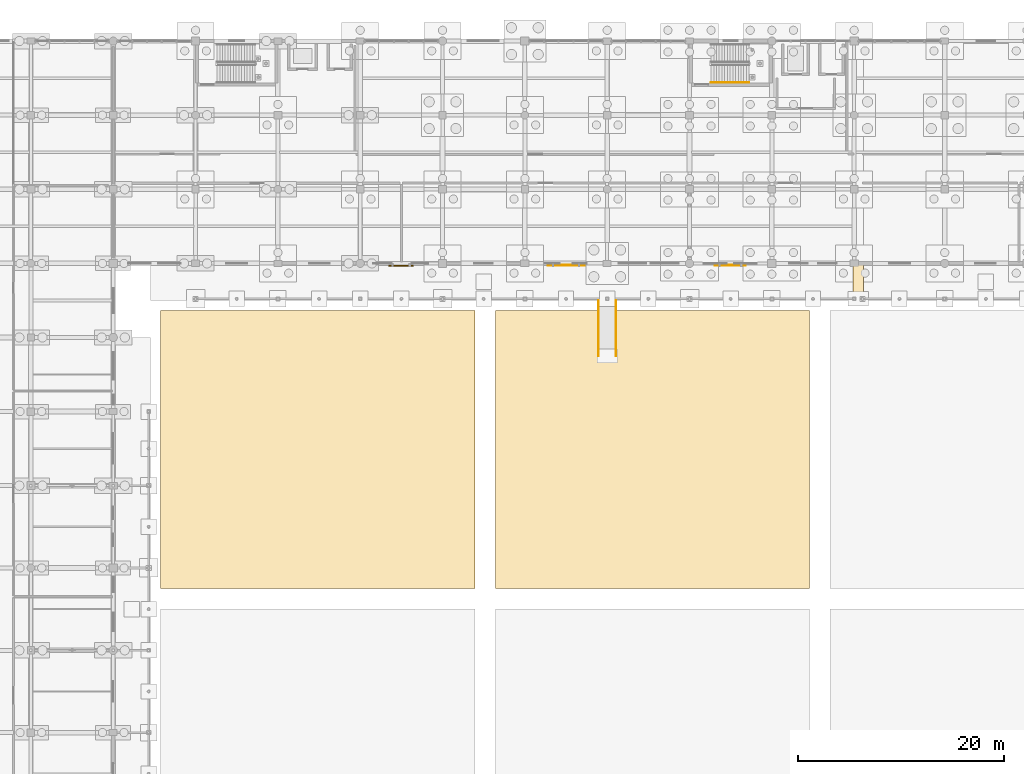
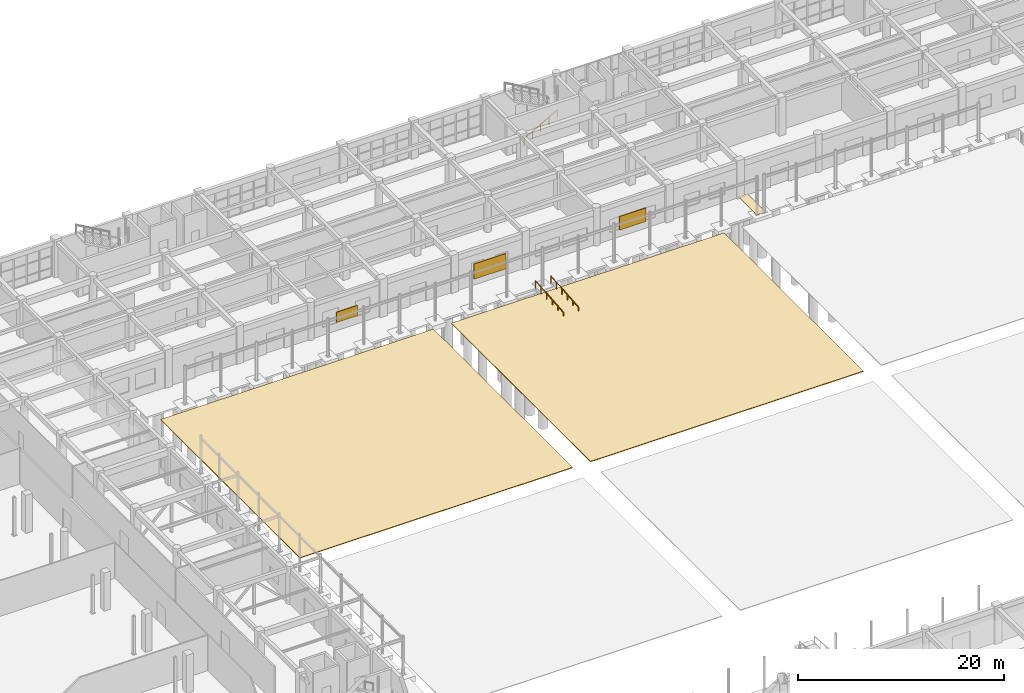
# One storey, part 160 of 166: 3 coverings, 3 railings, 3 shading devices.
"""IFC4 building model written with IfcOpenShell, lengths in metres."""

from ifc_helpers import new_model, si_unit, direction, frame, origin, origin_2d, place, context, subcontext, project, spatial, polyline, rectangle, circle, outline, extrude, material, layer, layer_set, type_object, element, save


model = new_model("IFC4")

# Units and contexts
model_context = context("Model", 3, precision=1e-05, world=origin(), true_north=direction((0.0, 1.0)))
body_context = subcontext(model_context, "Body", "Model", "MODEL_VIEW")
ifc_project = project(units=[si_unit("LENGTHUNIT", "METRE"), si_unit("AREAUNIT", "SQUARE_METRE"), si_unit("VOLUMEUNIT", "CUBIC_METRE"), si_unit("PLANEANGLEUNIT", "RADIAN"), si_unit("MASSUNIT", "GRAM", prefix="KILO")], contexts=[model_context])

# Site, building, storey
site_placement = place(None, origin())
site = spatial("IfcSite", under=ifc_project, at=site_placement, CompositionType="ELEMENT")
building_placement = place(site_placement, origin())
building = spatial("IfcBuilding", under=site, at=building_placement, Name="Kharva Crest Polytechnic", CompositionType="ELEMENT")
storey_placement = place(building_placement, origin())
storey = spatial("IfcBuildingStorey", under=building, at=storey_placement, Name="L00", CompositionType="ELEMENT", Elevation=0.0)

# Coverings
ifc_material_1 = material(Name="Anodised aluminium", Category="aluminium")
ifc_layer_1 = layer(ifc_material_1, 0.030029296875, Name="Anodised aluminium")
ifc_layer_set_1 = layer_set([ifc_layer_1], Name="Anodised aluminium")
covering_type_1 = type_object("IfcCoveringType", Name="COV-SEISMIC-JOINT", PredefinedType="FLOORING", material=ifc_layer_set_1)
covering_1_placement = place(storey_placement, frame((0.0, 0.0, -0.030029296875)))
element("IfcCovering", 1, at=covering_1_placement, inside=storey, type_object=covering_type_1, Name="L00 Veranda Expansion Joint Floor Cover VER_N_L00", PredefinedType="FLOORING", context=body_context, shape_type="SweptSolid", body=[
    extrude(outline(polyline([(119.89990234375, 96.800048828125), (120.89990234375, 96.800048828125), (120.89990234375, 100.39990234375), (119.89990234375, 100.39990234375), (119.89990234375, 96.800048828125)])), origin(), (0.0, 0.0, 1.0), 0.030029296875),
])
ifc_material_2 = material(Name="Terrazzo tile")
ifc_layer_2 = layer(ifc_material_2, 0.080078125, Name="Terrazzo tile")
ifc_layer_set_2 = layer_set([ifc_layer_2], Name="Terrazzo tile")
covering_type_2 = type_object("IfcCoveringType", Name="COV-SITE-GRAVEL", PredefinedType="USERDEFINED", material=ifc_layer_set_2)
covering_2_placement = place(storey_placement, frame((0.0, 0.0, -0.080078125)))
element("IfcCovering", 2, at=covering_2_placement, inside=storey, type_object=covering_type_2, Name="L00 Courtyard Gravel Paving Court 2", ObjectType="PAVING", PredefinedType="USERDEFINED", context=body_context, shape_type="SweptSolid", body=[
    extrude(outline(polyline([(52.60009765625, 68.800048828125), (83.133056640625, 68.800048828125), (83.133056640625, 95.800048828125), (52.60009765625, 95.800048828125), (52.60009765625, 68.800048828125)])), origin(), (0.0, 0.0, 1.0), 0.080078125),
])
covering_3_placement = place(storey_placement, frame((0.0, 0.0, -0.080078125)))
element("IfcCovering", 3, at=covering_3_placement, inside=storey, type_object=covering_type_2, Name="L00 Courtyard Gravel Paving Court 4", ObjectType="PAVING", PredefinedType="USERDEFINED", context=body_context, shape_type="SweptSolid", body=[
    extrude(outline(polyline([(85.133056640625, 68.800048828125), (115.6669921875, 68.800048828125), (115.6669921875, 95.800048828125), (85.133056640625, 95.800048828125), (85.133056640625, 68.800048828125)])), origin(), (0.0, 0.0, 1.0), 0.080078125),
])

# Railings
ifc_material_3 = material(Name="Teak timber", Category="wood")
railing_type = type_object("IfcRailingType", Name="RL-STAIR-HAND-900", PredefinedType="HANDRAIL", material=ifc_material_3)
railing_placement = place(storey_placement, frame((106.090087890625, 117.989990234375, 0.14990234375)))
element("IfcRailing", 4, at=railing_placement, inside=storey, type_object=railing_type, Name="L00 ST-04 stair handrail 1", PredefinedType="HANDRAIL", context=body_context, shape_type="SweptSolid", body=[
    extrude(circle(Radius=0.02392578125, at=origin_2d()), frame((0.0, 0.0, 0.8759765625), z_axis=(0.870244811389, 0.0, 0.492619496418), x_axis=(0.0, 1.0, 0.0)), (0.0, 0.0, 1.0), 4.26318359375),
    extrude(circle(Radius=0.02099609375, at=origin_2d()), origin(), (0.0, 0.0, 1.0), 0.851806640625),
    extrude(circle(Radius=0.02099609375, at=origin_2d()), frame((0.927490234375, 0.0, 0.52490234375)), (0.0, 0.0, 1.0), 0.851806640625),
    extrude(circle(Radius=0.02099609375, at=origin_2d()), frame((1.85498046875, 0.0, 1.050048828125)), (0.0, 0.0, 1.0), 0.851806640625),
    extrude(circle(Radius=0.02099609375, at=origin_2d()), frame((2.782470703125, 0.0, 1.5751953125)), (0.0, 0.0, 1.0), 0.851806640625),
    extrude(circle(Radius=0.02099609375, at=origin_2d()), frame((3.7099609375, 0.0, 2.10009765625)), (0.0, 0.0, 1.0), 0.851806640625),
])
for number, where, name in (
    (5, (95.14990234375, 91.39990234375, -0.449951171875), "Courtyard North Veranda Accessible Ramp Handrail L"),
    (6, (96.85009765625, 91.39990234375, -0.449951171875), "Courtyard North Veranda Accessible Ramp Handrail R"),
):
    element("IfcRailing", number, at=place(storey_placement, frame(where)), inside=storey, type_object=railing_type, Name=name, PredefinedType="HANDRAIL", context=body_context, shape_type="SweptSolid", body=[
        extrude(circle(Radius=0.02392578125, at=origin_2d()), frame((0.0, 0.0, 0.8759765625), z_axis=(0.0, 0.996546690331, 0.083034294059), x_axis=(-1.0, 0.0, 0.0)), (0.0, 0.0, 1.0), 5.4189453125),
        extrude(circle(Radius=0.02099609375, at=origin_2d()), origin(), (0.0, 0.0, 1.0), 0.851806640625),
        extrude(circle(Radius=0.02099609375, at=origin_2d()), frame((0.0, 1.080078125, 0.090087890625)), (0.0, 0.0, 1.0), 0.851806640625),
        extrude(circle(Radius=0.02099609375, at=origin_2d()), frame((0.0, 2.16015625, 0.179931640625)), (0.0, 0.0, 1.0), 0.851806640625),
        extrude(circle(Radius=0.02099609375, at=origin_2d()), frame((0.0, 3.239990234375, 0.27001953125)), (0.0, 0.0, 1.0), 0.851806640625),
        extrude(circle(Radius=0.02099609375, at=origin_2d()), frame((0.0, 4.320068359375, 0.35986328125)), (0.0, 0.0, 1.0), 0.851806640625),
        extrude(circle(Radius=0.02099609375, at=origin_2d()), frame((0.0, 5.400146484375, 0.449951171875)), (0.0, 0.0, 1.0), 0.851806640625),
    ])

# Shading devices
ifc_material_4 = material(Name="Perforated terracotta", Category="masonry")
shading_device_type_1 = type_object("IfcShadingDeviceType", Name="SHD-JAALI-3000X1600", PredefinedType="USERDEFINED", material=ifc_material_4)
shading_device_1_placement = place(storey_placement, frame((107.970458984375, 100.23193359375, 0.849853515625), z_axis=(0.0, 0.0, 1.0), x_axis=(1.0, 0.0, 0.0)))
element("IfcShadingDevice", 7, at=shading_device_1_placement, inside=storey, type_object=shading_device_type_1, Name="L00 Terracotta Jaali Solar Screen 19", ObjectType="LOUVRE", PredefinedType="USERDEFINED", context=body_context, shape_type="SweptSolid", body=[
    extrude(rectangle(XDim=3.0, YDim=0.080078125, at=origin_2d()), origin(), (0.0, 0.0, 1.0), 1.60009765625),
])
shading_device_type_2 = type_object("IfcShadingDeviceType", Name="SHD-JAALI-3600X1800", PredefinedType="USERDEFINED", material=ifc_material_4)
shading_device_2_placement = place(storey_placement, frame((92.0048828125, 100.217041015625, 0.75), z_axis=(0.0, 0.0, 1.0), x_axis=(1.0, 0.0, 0.0)))
element("IfcShadingDevice", 8, at=shading_device_2_placement, inside=storey, type_object=shading_device_type_2, Name="L00 Terracotta Jaali Solar Screen 18", ObjectType="LOUVRE", PredefinedType="USERDEFINED", context=body_context, shape_type="SweptSolid", body=[
    extrude(rectangle(XDim=3.60009765625, YDim=0.080078125, at=origin_2d()), origin(), (0.0, 0.0, 1.0), 1.800048828125),
])
shading_device_type_3 = type_object("IfcShadingDeviceType", Name="SHD-LOUVRE-2400X1200", PredefinedType="USERDEFINED", material=ifc_material_4)
shading_device_3_placement = place(storey_placement, frame((75.970458984375, 100.19189453125, 1.0498046875), z_axis=(0.0, 0.0, 1.0), x_axis=(1.0, 0.0, 0.0)))
element("IfcShadingDevice", 9, at=shading_device_3_placement, inside=storey, type_object=shading_device_type_3, Name="L00 Terracotta Jaali Solar Screen 17", ObjectType="LOUVRE", PredefinedType="USERDEFINED", context=body_context, shape_type="SweptSolid", body=[
    extrude(rectangle(XDim=2.39990234375, YDim=0.10009765625, at=origin_2d()), origin(), (0.0, 0.0, 1.0), 1.199951171875),
])

save(model, "model.ifc")
